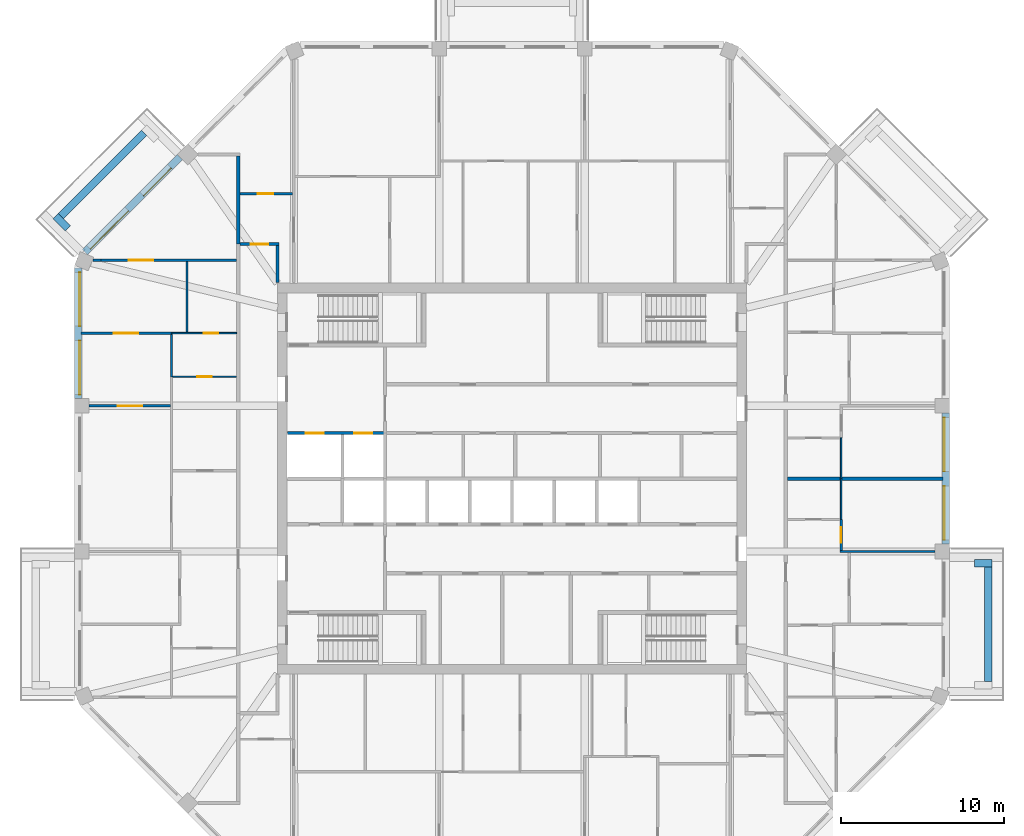
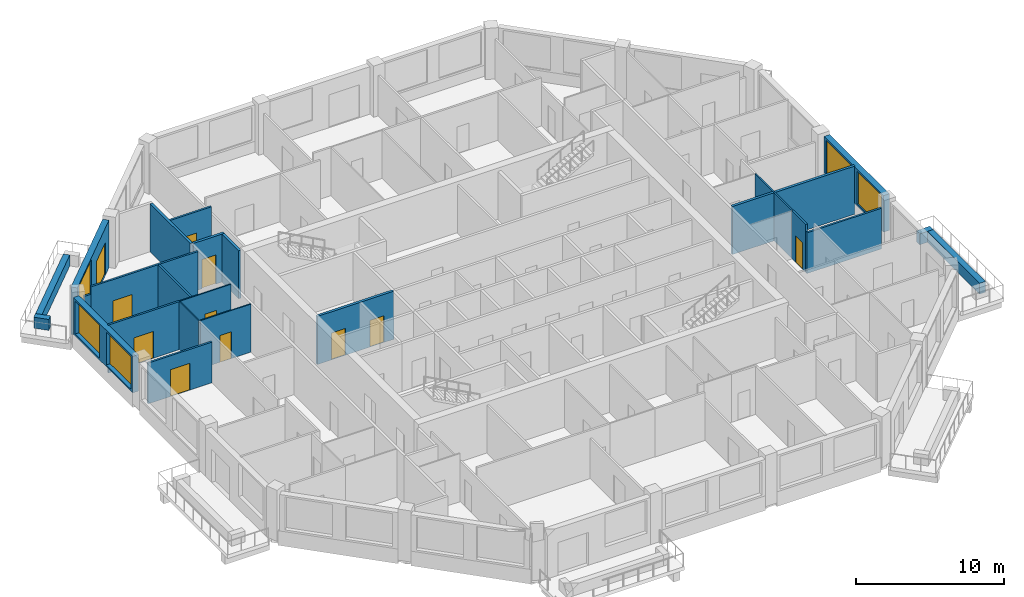
# One storey, part 7 of 11: 25 walls, 11 doors, 5 windows, 16 openings.
"""IFC4 building model written with IfcOpenShell, lengths in metres."""

from ifc_helpers import new_model, si_unit, direction, frame, frame_2d, origin, place, context, subcontext, project, spatial, rectangle, extrude, material, layer, layer_set, type_object, element, fill, save


model = new_model("IFC4")

# Units and contexts
model_context = context("Model", 3, precision=1e-05, world=origin(), true_north=direction((0.0, 1.0)))
body_context = subcontext(model_context, "Body", "Model", "MODEL_VIEW")
ifc_project = project(units=[si_unit("LENGTHUNIT", "METRE"), si_unit("AREAUNIT", "SQUARE_METRE"), si_unit("VOLUMEUNIT", "CUBIC_METRE"), si_unit("PLANEANGLEUNIT", "RADIAN"), si_unit("MASSUNIT", "GRAM", prefix="KILO")], contexts=[model_context])

# Site, building, storey
site_placement = place(None, origin())
site = spatial("IfcSite", under=ifc_project, at=site_placement, CompositionType="ELEMENT")
building_placement = place(site_placement, origin())
building = spatial("IfcBuilding", under=site, at=building_placement, Name="Msitu Wima Residences", CompositionType="ELEMENT")
storey_placement = place(building_placement, frame((0.0, 0.0, 264.300048828125)))
storey = spatial("IfcBuildingStorey", under=building, at=storey_placement, Name="L61", CompositionType="ELEMENT", Elevation=264.300048828125)

# Walls
ifc_material_1 = material(Name="Facing brick")
ifc_layer_1 = layer(ifc_material_1, 0.06494140625, Name="Facing brick")
ifc_material_2 = material(Name="Concrete C40/50", Category="concrete")
ifc_layer_2 = layer(ifc_material_2, 0.156005859375, Name="Concrete C40/50")
ifc_material_3 = material(Name="Waterproofing membrane")
ifc_layer_3 = layer(ifc_material_3, 0.00390625, Name="Waterproofing membrane")
ifc_material_4 = material(Name="Planting soil and planting")
ifc_layer_4 = layer(ifc_material_4, 0.22509765625, Name="Planting soil and planting")
ifc_layer_set_1 = layer_set([ifc_layer_1, ifc_layer_2, ifc_layer_3, ifc_layer_4], Name="Concrete C40/50")
wall_type_1 = type_object("IfcWallType", Name="Balcony planter PLANTER PL450", PredefinedType="USERDEFINED", material=ifc_layer_set_1)
wall_1_placement = place(storey_placement, frame((29.22509765625, -12.455810546875, 0.0), z_axis=(0.0, 0.0, 1.0), x_axis=(0.0, 1.0, 0.0)))
element("IfcWall", 1, at=wall_1_placement, inside=storey, type_object=wall_type_1, Name="Balcony planter E0 L61", ObjectType="PLANTER", PredefinedType="USERDEFINED", context=body_context, shape_type="SweptSolid", body=[
    extrude(rectangle(XDim=7.037109375, YDim=0.449951171875, at=frame_2d((3.5185546875, 0.0))), origin(), (0.0, 0.0, 1.0), 0.89990234375),
])
wall_2_placement = place(storey_placement, frame((28.39990234375, -5.193603515625, 0.0), z_axis=(0.0, 0.0, 1.0), x_axis=(1.0, 0.0, 0.0)))
element("IfcWall", 2, at=wall_2_placement, inside=storey, type_object=wall_type_1, Name="Balcony planter E0 L61", ObjectType="PLANTER", PredefinedType="USERDEFINED", context=body_context, shape_type="SweptSolid", body=[
    extrude(rectangle(XDim=1.050048828125, YDim=0.449951171875, at=frame_2d((0.52490234375, 0.0))), origin(), (0.0, 0.0, 1.0), 0.89990234375),
])
wall_3_placement = place(storey_placement, frame((-22.572265625, 21.228759765625, 0.0), z_axis=(0.0, 0.0, 1.0), x_axis=(-0.707106781187, -0.707106781187, 0.0)))
element("IfcWall", 3, at=wall_3_placement, inside=storey, type_object=wall_type_1, Name="Balcony planter NW1 L61", ObjectType="PLANTER", PredefinedType="USERDEFINED", context=body_context, shape_type="SweptSolid", body=[
    extrude(rectangle(XDim=7.23828125, YDim=0.449951171875, at=frame_2d((3.619140625, 0.0))), origin(), (0.0, 0.0, 1.0), 0.89990234375),
])
wall_4_placement = place(storey_placement, frame((-27.26611328125, 15.3681640625, 0.0), z_axis=(0.0, 0.0, 1.0), x_axis=(-0.707223014731, 0.706990528533, 0.0)))
element("IfcWall", 4, at=wall_4_placement, inside=storey, type_object=wall_type_1, Name="Balcony planter NW1 L61", ObjectType="PLANTER", PredefinedType="USERDEFINED", context=body_context, shape_type="SweptSolid", body=[
    extrude(rectangle(XDim=1.050048828125, YDim=0.449951171875, at=frame_2d((0.52490234375, 0.0))), origin(), (0.0, 0.0, 1.0), 0.89990234375),
])

# Wall, openings, windows
ifc_material_5 = material(Name="Brick (red buff mix)", Category="masonry")
ifc_layer_5 = layer(ifc_material_5, 0.449951171875)
ifc_layer_set_2 = layer_set([ifc_layer_5], Name="Brick (red buff mix)")
wall_type_2 = type_object("IfcWallType", Name="Brick infill wall BW450", PredefinedType="SOLIDWALL", material=ifc_layer_set_2)
wall_5_placement = place(storey_placement, frame((26.625, -4.0185546875, 0.89990234375), z_axis=(0.0, 0.0, 1.0), x_axis=(0.0, 1.0, 0.0)))
wall_5 = element("IfcWall", 5, at=wall_5_placement, inside=storey, type_object=wall_type_2, Name="Brick infill wall L61 E1", PredefinedType="SOLIDWALL", context=body_context, shape_type="SweptSolid", body=[
    extrude(rectangle(XDim=8.037109375, YDim=0.449951171875, at=frame_2d((4.0185546875, 0.0))), origin(), (0.0, 0.0, 1.0), 3.0),
])
opening_1_placement = place(wall_5_placement, frame((0.2685546875, 0.0, 0.14990234375)))
opening_1 = element("IfcOpeningElement", 6, at=opening_1_placement, cuts=wall_5, Name="Opening W60-62.002", PredefinedType="OPENING", context=body_context, shape_type="SweptSolid", body=[
    extrude(rectangle(XDim=3.300048828125, YDim=2.699951171875, at=frame_2d((1.64990234375, 1.35009765625))), frame((0.0, 0.23486328125, 0.0), z_axis=(0.0, -1.0, 0.0), x_axis=(1.0, 0.0, 0.0)), (0.0, 0.0, 1.0), 0.469970703125),
])
opening_2_placement = place(wall_5_placement, frame((4.46875, 0.0, 0.14990234375)))
opening_2 = element("IfcOpeningElement", 7, at=opening_2_placement, cuts=wall_5, Name="Opening W60-62.003", PredefinedType="OPENING", context=body_context, shape_type="SweptSolid", body=[
    extrude(rectangle(XDim=3.300048828125, YDim=2.699951171875, at=frame_2d((1.64990234375, 1.35009765625))), frame((0.0, 0.23486328125, 0.0), z_axis=(0.0, -1.0, 0.0), x_axis=(1.0, 0.0, 0.0)), (0.0, 0.0, 1.0), 0.469970703125),
])
ifc_material_6 = material(Name="Anodised aluminium, bronze finish, clear low-emissivity double glazing", Category="aluminium")
window_type = type_object("IfcWindowType", Name="Window W3300x2700", PartitioningType="DOUBLE_PANEL_VERTICAL", PredefinedType="WINDOW", material=ifc_material_6)
window_1_placement = place(opening_1_placement, origin())
window_1 = element("IfcWindow", 8, at=window_1_placement, inside=storey, type_object=window_type, Name="Window L61 E1.1", OverallHeight=2.699951171875, OverallWidth=3.300048828125, PartitioningType="SINGLE_PANEL", PredefinedType="WINDOW", context=body_context, shape_type="SweptSolid", body=[
    extrude(rectangle(XDim=3.300048828125, YDim=2.699951171875, at=frame_2d((1.64990234375, 1.35009765625))), frame((0.0, 0.135009765625, 0.0), z_axis=(0.0, -1.0, 0.0), x_axis=(1.0, 0.0, 0.0)), (0.0, 0.0, 1.0), 0.06005859375),
])
fill(opening_1, window_1)
window_2_placement = place(opening_2_placement, origin())
window_2 = element("IfcWindow", 9, at=window_2_placement, inside=storey, type_object=window_type, Name="Window L61 E1.2", OverallHeight=2.699951171875, OverallWidth=3.300048828125, PartitioningType="SINGLE_PANEL", PredefinedType="WINDOW", context=body_context, shape_type="SweptSolid", body=[
    extrude(rectangle(XDim=3.300048828125, YDim=2.699951171875, at=frame_2d((1.64990234375, 1.35009765625))), frame((0.0, 0.135009765625, 0.0), z_axis=(0.0, -1.0, 0.0), x_axis=(1.0, 0.0, 0.0)), (0.0, 0.0, 1.0), 0.06005859375),
])
fill(opening_2, window_2)

# Wall, openings, door, window
wall_6_placement = place(storey_placement, frame((-20.380126953125, 19.743896484375, 0.0), z_axis=(0.0, 0.0, 1.0), x_axis=(-0.707106781187, -0.707106781187, 0.0)))
wall_6 = element("IfcWall", 10, at=wall_6_placement, inside=storey, type_object=wall_type_2, Name="Brick infill wall L61 NW1", PredefinedType="SOLIDWALL", context=body_context, shape_type="SweptSolid", body=[
    extrude(rectangle(XDim=8.251220703125, YDim=0.449951171875, at=frame_2d((4.12548828125, 0.0))), origin(), (0.0, 0.0, 1.0), 3.89990234375),
])
opening_3_placement = place(wall_6_placement, frame((0.86279296875, 0.0, 0.0)))
opening_3 = element("IfcOpeningElement", 11, at=opening_3_placement, cuts=wall_6, Name="Opening D60-62.004", PredefinedType="OPENING", context=body_context, shape_type="SweptSolid", body=[
    extrude(rectangle(XDim=2.39990234375, YDim=2.699951171875, at=frame_2d((1.199951171875, 1.35009765625))), frame((0.0, 0.23486328125, 0.0), z_axis=(0.0, -1.0, 0.0), x_axis=(1.0, 0.0, 0.0)), (0.0, 0.0, 1.0), 0.469970703125),
])
opening_4_placement = place(wall_6_placement, frame((4.57568359375, 0.0, 1.050048828125)))
opening_4 = element("IfcOpeningElement", 12, at=opening_4_placement, cuts=wall_6, Name="Opening W60-62.016", PredefinedType="OPENING", context=body_context, shape_type="SweptSolid", body=[
    extrude(rectangle(XDim=3.300048828125, YDim=2.699951171875, at=frame_2d((1.64990234375, 1.35009765625))), frame((0.0, 0.23486328125, 0.0), z_axis=(0.0, -1.0, 0.0), x_axis=(1.0, 0.0, 0.0)), (0.0, 0.0, 1.0), 0.469970703125),
])
door_type_1 = type_object("IfcDoorType", Name="Balcony door D2400x2700", OperationType="SLIDING_TO_LEFT", PredefinedType="DOOR", material=ifc_material_6)
door_1_placement = place(opening_3_placement, origin())
door_1 = element("IfcDoor", 13, at=door_1_placement, inside=storey, type_object=door_type_1, Name="Balcony door L61 NW1", OperationType="SINGLE_SWING_LEFT", OverallHeight=2.699951171875, OverallWidth=2.39990234375, PredefinedType="DOOR", context=body_context, shape_type="SweptSolid", body=[
    extrude(rectangle(XDim=2.39990234375, YDim=2.699951171875, at=frame_2d((1.199951171875, 1.35009765625))), frame((0.0, 0.1298828125, 0.0), z_axis=(0.0, -1.0, 0.0), x_axis=(1.0, 0.0, 0.0)), (0.0, 0.0, 1.0), 0.050048828125),
])
fill(opening_3, door_1)
window_3_placement = place(opening_4_placement, origin())
window_3 = element("IfcWindow", 14, at=window_3_placement, inside=storey, type_object=window_type, Name="Window L61 NW1.2", OverallHeight=2.699951171875, OverallWidth=3.300048828125, PartitioningType="SINGLE_PANEL", PredefinedType="WINDOW", context=body_context, shape_type="SweptSolid", body=[
    extrude(rectangle(XDim=3.300048828125, YDim=2.699951171875, at=frame_2d((1.64990234375, 1.35009765625))), frame((0.0, 0.135009765625, 0.0), z_axis=(0.0, -1.0, 0.0), x_axis=(1.0, 0.0, 0.0)), (0.0, 0.0, 1.0), 0.06005859375),
])
fill(opening_4, window_3)

# Wall, openings, windows
wall_7_placement = place(storey_placement, frame((-26.625, 12.918701171875, 0.89990234375), z_axis=(0.0, 0.0, 1.0), x_axis=(0.0, -1.0, 0.0)))
wall_7 = element("IfcWall", 15, at=wall_7_placement, inside=storey, type_object=wall_type_2, Name="Brick infill wall L61 W0", PredefinedType="SOLIDWALL", context=body_context, shape_type="SweptSolid", body=[
    extrude(rectangle(XDim=8.0, YDim=0.449951171875, at=frame_2d((4.0, 0.0))), origin(), (0.0, 0.0, 1.0), 3.0),
])
opening_5_placement = place(wall_7_placement, frame((0.25, 0.0, 0.14990234375)))
opening_5 = element("IfcOpeningElement", 16, at=opening_5_placement, cuts=wall_7, Name="Opening W60-62.029", PredefinedType="OPENING", context=body_context, shape_type="SweptSolid", body=[
    extrude(rectangle(XDim=3.300048828125, YDim=2.699951171875, at=frame_2d((1.64990234375, 1.35009765625))), frame((0.0, 0.23486328125, 0.0), z_axis=(0.0, -1.0, 0.0), x_axis=(1.0, 0.0, 0.0)), (0.0, 0.0, 1.0), 0.469970703125),
])
opening_6_placement = place(wall_7_placement, frame((4.4501953125, 0.0, 0.14990234375)))
opening_6 = element("IfcOpeningElement", 17, at=opening_6_placement, cuts=wall_7, Name="Opening W60-62.030", PredefinedType="OPENING", context=body_context, shape_type="SweptSolid", body=[
    extrude(rectangle(XDim=3.300048828125, YDim=2.699951171875, at=frame_2d((1.64990234375, 1.35009765625))), frame((0.0, 0.23486328125, 0.0), z_axis=(0.0, -1.0, 0.0), x_axis=(1.0, 0.0, 0.0)), (0.0, 0.0, 1.0), 0.469970703125),
])
window_4_placement = place(opening_5_placement, origin())
window_4 = element("IfcWindow", 18, at=window_4_placement, inside=storey, type_object=window_type, Name="Window L61 W0.1", OverallHeight=2.699951171875, OverallWidth=3.300048828125, PartitioningType="SINGLE_PANEL", PredefinedType="WINDOW", context=body_context, shape_type="SweptSolid", body=[
    extrude(rectangle(XDim=3.300048828125, YDim=2.699951171875, at=frame_2d((1.64990234375, 1.35009765625))), frame((0.0, 0.135009765625, 0.0), z_axis=(0.0, -1.0, 0.0), x_axis=(1.0, 0.0, 0.0)), (0.0, 0.0, 1.0), 0.06005859375),
])
fill(opening_5, window_4)
window_5_placement = place(opening_6_placement, origin())
window_5 = element("IfcWindow", 19, at=window_5_placement, inside=storey, type_object=window_type, Name="Window L61 W0.2", OverallHeight=2.699951171875, OverallWidth=3.300048828125, PartitioningType="SINGLE_PANEL", PredefinedType="WINDOW", context=body_context, shape_type="SweptSolid", body=[
    extrude(rectangle(XDim=3.300048828125, YDim=2.699951171875, at=frame_2d((1.64990234375, 1.35009765625))), frame((0.0, 0.135009765625, 0.0), z_axis=(0.0, -1.0, 0.0), x_axis=(1.0, 0.0, 0.0)), (0.0, 0.0, 1.0), 0.06005859375),
])
fill(opening_6, window_5)

# Wall, opening, door
ifc_material_7 = material(Name="Plaster")
ifc_layer_6 = layer(ifc_material_7, 0.011962890625, Name="Plaster")
ifc_material_8 = material(Name="Concrete blockwork", Category="masonry")
ifc_layer_7 = layer(ifc_material_8, 0.176025390625, Name="Concrete blockwork")
ifc_layer_8 = layer(ifc_material_7, 0.011962890625, Name="Plaster")
ifc_layer_set_3 = layer_set([ifc_layer_6, ifc_layer_7, ifc_layer_8], Name="Concrete blockwork")
wall_type_3 = type_object("IfcWallType", Name="Corridor wall FW200", PredefinedType="PARTITIONING", material=ifc_layer_set_3)
wall_8_placement = place(storey_placement, frame((-16.699951171875, 14.39990234375, 0.0), z_axis=(0.0, 0.0, 1.0), x_axis=(1.0, 0.0, 0.0)))
wall_8 = element("IfcWall", 20, at=wall_8_placement, inside=storey, type_object=wall_type_3, Name="Corridor wall", PredefinedType="PARTITIONING", context=body_context, shape_type="SweptSolid", body=[
    extrude(rectangle(XDim=2.39990234375, YDim=0.199951171875, at=frame_2d((1.199951171875, 0.0))), origin(), (0.0, 0.0, 1.0), 3.949951171875),
])
opening_7_placement = place(wall_8_placement, frame((0.64990234375, 0.0, 0.0)))
opening_7 = element("IfcOpeningElement", 21, at=opening_7_placement, cuts=wall_8, Name="Opening D60-62.026", PredefinedType="OPENING", context=body_context, shape_type="SweptSolid", body=[
    extrude(rectangle(XDim=1.10009765625, YDim=2.39990234375, at=frame_2d((0.550048828125, 1.199951171875))), frame((0.0, 0.10986328125, 0.0), z_axis=(0.0, -1.0, 0.0), x_axis=(1.0, 0.0, 0.0)), (0.0, 0.0, 1.0), 0.219970703125),
])
ifc_material_9 = material(Name="Timber flush door, fire resisting, self-closing", Category="wood")
door_type_2 = type_object("IfcDoorType", Name="Flat entrance door D01 1100x2400", OperationType="SINGLE_SWING_LEFT", PredefinedType="DOOR", material=ifc_material_9)
door_2_placement = place(opening_7_placement, origin())
door_2 = element("IfcDoor", 22, at=door_2_placement, inside=storey, type_object=door_type_2, Name="Flat entrance door", OperationType="SINGLE_SWING_LEFT", OverallHeight=2.39990234375, OverallWidth=1.10009765625, PredefinedType="DOOR", context=body_context, shape_type="SweptSolid", body=[
    extrude(rectangle(XDim=1.10009765625, YDim=2.39990234375, at=frame_2d((0.550048828125, 1.199951171875))), frame((0.0, 0.02490234375, 0.0), z_axis=(0.0, -1.0, 0.0), x_axis=(1.0, 0.0, 0.0)), (0.0, 0.0, 1.0), 0.050048828125),
])
fill(opening_7, door_2)

# Wall
wall_9_placement = place(storey_placement, frame((-14.39990234375, 12.030029296875, 0.0), z_axis=(0.0, 0.0, 1.0), x_axis=(0.0, 1.0, 0.0)))
element("IfcWall", 23, at=wall_9_placement, inside=storey, type_object=wall_type_3, Name="Corridor wall", PredefinedType="PARTITIONING", context=body_context, shape_type="SweptSolid", body=[
    extrude(rectangle(XDim=2.27001953125, YDim=0.199951171875, at=frame_2d((1.135009765625, 0.0))), origin(), (0.0, 0.0, 1.0), 3.949951171875),
])

# Wall, opening, door
ifc_layer_9 = layer(ifc_material_7, 0.011962890625, Name="Plaster")
ifc_layer_10 = layer(ifc_material_8, 0.1259765625, Name="Concrete blockwork")
ifc_layer_11 = layer(ifc_material_7, 0.011962890625, Name="Plaster")
ifc_layer_set_4 = layer_set([ifc_layer_9, ifc_layer_10, ifc_layer_11], Name="Concrete blockwork")
wall_type_4 = type_object("IfcWallType", Name="Partition PW150", PredefinedType="PARTITIONING", material=ifc_layer_set_4)
wall_10_placement = place(storey_placement, frame((-25.949951171875, 4.46875, 0.0), z_axis=(0.0, 0.0, 1.0), x_axis=(1.0, 0.0, 0.0)))
wall_10 = element("IfcWall", 24, at=wall_10_placement, inside=storey, type_object=wall_type_4, Name="Partition", PredefinedType="PARTITIONING", context=body_context, shape_type="SweptSolid", body=[
    extrude(rectangle(XDim=4.974853515625, YDim=0.14990234375, at=frame_2d((2.4873046875, 0.0))), origin(), (0.0, 0.0, 1.0), 3.349853515625),
])
opening_8_placement = place(wall_10_placement, frame((1.75, 0.0, 0.0)))
opening_8 = element("IfcOpeningElement", 25, at=opening_8_placement, cuts=wall_10, Name="Opening D60-62.049", PredefinedType="OPENING", context=body_context, shape_type="SweptSolid", body=[
    extrude(rectangle(XDim=1.5, YDim=2.199951171875, at=frame_2d((0.75, 1.10009765625))), frame((0.0, 0.0849609375, 0.0), z_axis=(0.0, -1.0, 0.0), x_axis=(1.0, 0.0, 0.0)), (0.0, 0.0, 1.0), 0.169921875),
])
ifc_material_10 = material(Name="Timber double door", Category="wood")
door_type_3 = type_object("IfcDoorType", Name="Double door D04 1500x2200", OperationType="DOUBLE_DOOR_SINGLE_SWING", PredefinedType="DOOR", material=ifc_material_10)
door_3_placement = place(opening_8_placement, origin())
door_3 = element("IfcDoor", 26, at=door_3_placement, inside=storey, type_object=door_type_3, Name="Double door", OperationType="DOUBLE_DOOR_SINGLE_SWING", OverallHeight=2.199951171875, OverallWidth=1.5, PredefinedType="DOOR", context=body_context, shape_type="SweptSolid", body=[
    extrude(rectangle(XDim=1.5, YDim=2.199951171875, at=frame_2d((0.75, 1.10009765625))), frame((0.0, 0.02490234375, 0.0), z_axis=(0.0, -1.0, 0.0), x_axis=(1.0, 0.0, 0.0)), (0.0, 0.0, 1.0), 0.050048828125),
])
fill(opening_8, door_3)

wall_11_placement = place(storey_placement, frame((-26.455078125, 8.937255859375, 0.0), z_axis=(0.0, 0.0, 1.0), x_axis=(1.0, 0.0, 0.0)))
wall_11 = element("IfcWall", 27, at=wall_11_placement, inside=storey, type_object=wall_type_4, Name="Partition", PredefinedType="PARTITIONING", context=body_context, shape_type="SweptSolid", body=[
    extrude(rectangle(XDim=5.5751953125, YDim=0.14990234375, at=frame_2d((2.78759765625, 0.0))), origin(), (0.0, 0.0, 1.0), 3.949951171875),
])
opening_9_placement = place(wall_11_placement, frame((2.0, 0.0, 0.0)))
opening_9 = element("IfcOpeningElement", 28, at=opening_9_placement, cuts=wall_11, Name="Opening D60-62.041", PredefinedType="OPENING", context=body_context, shape_type="SweptSolid", body=[
    extrude(rectangle(XDim=1.5, YDim=2.199951171875, at=frame_2d((0.75, 1.10009765625))), frame((0.0, 0.0849609375, 0.0), z_axis=(0.0, -1.0, 0.0), x_axis=(1.0, 0.0, 0.0)), (0.0, 0.0, 1.0), 0.169921875),
])
door_4_placement = place(opening_9_placement, origin())
door_4 = element("IfcDoor", 29, at=door_4_placement, inside=storey, type_object=door_type_3, Name="Double door", OperationType="DOUBLE_DOOR_SINGLE_SWING", OverallHeight=2.199951171875, OverallWidth=1.5, PredefinedType="DOOR", context=body_context, shape_type="SweptSolid", body=[
    extrude(rectangle(XDim=1.5, YDim=2.199951171875, at=frame_2d((0.75, 1.10009765625))), frame((0.0, 0.02490234375, 0.0), z_axis=(0.0, -1.0, 0.0), x_axis=(1.0, 0.0, 0.0)), (0.0, 0.0, 1.0), 0.050048828125),
])
fill(opening_9, door_4)

# Wall
wall_12_placement = place(storey_placement, frame((-25.731201171875, 13.406005859375, 0.0), z_axis=(0.0, 0.0, 1.0), x_axis=(1.0, 0.0, 0.0)))
element("IfcWall", 30, at=wall_12_placement, inside=storey, type_object=wall_type_4, Name="Partition", PredefinedType="PARTITIONING", context=body_context, shape_type="SweptSolid", body=[
    extrude(rectangle(XDim=0.507080078125, YDim=0.14990234375, at=frame_2d((0.25341796875, 0.0))), origin(), (0.0, 0.0, 1.0), 3.349853515625),
])

# Wall, opening, door
wall_13_placement = place(storey_placement, frame((-25.22412109375, 13.406005859375, 0.0), z_axis=(0.0, 0.0, 1.0), x_axis=(1.0, 0.0, 0.0)))
wall_13 = element("IfcWall", 31, at=wall_13_placement, inside=storey, type_object=wall_type_4, Name="Partition", PredefinedType="PARTITIONING", context=body_context, shape_type="SweptSolid", body=[
    extrude(rectangle(XDim=8.32421875, YDim=0.14990234375, at=frame_2d((4.162109375, 0.0))), origin(), (0.0, 0.0, 1.0), 3.949951171875),
])
opening_10_placement = place(wall_13_placement, frame((1.69287109375, 0.0, 0.0)))
opening_10 = element("IfcOpeningElement", 32, at=opening_10_placement, cuts=wall_13, Name="Opening D60-62.042", PredefinedType="OPENING", context=body_context, shape_type="SweptSolid", body=[
    extrude(rectangle(XDim=1.5, YDim=2.199951171875, at=frame_2d((0.75, 1.10009765625))), frame((0.0, 0.0849609375, 0.0), z_axis=(0.0, -1.0, 0.0), x_axis=(1.0, 0.0, 0.0)), (0.0, 0.0, 1.0), 0.169921875),
])
door_5_placement = place(opening_10_placement, origin())
door_5 = element("IfcDoor", 33, at=door_5_placement, inside=storey, type_object=door_type_3, Name="Double door", OperationType="DOUBLE_DOOR_SINGLE_SWING", OverallHeight=2.199951171875, OverallWidth=1.5, PredefinedType="DOOR", context=body_context, shape_type="SweptSolid", body=[
    extrude(rectangle(XDim=1.5, YDim=2.199951171875, at=frame_2d((0.75, 1.10009765625))), frame((0.0, 0.02490234375, 0.0), z_axis=(0.0, -1.0, 0.0), x_axis=(1.0, 0.0, 0.0)), (0.0, 0.0, 1.0), 0.050048828125),
])
fill(opening_10, door_5)

# Wall
wall_14_placement = place(storey_placement, frame((-19.949951171875, 8.9873046875, 0.0), z_axis=(0.0, 0.0, 1.0), x_axis=(0.0, 1.0, 0.0)))
element("IfcWall", 34, at=wall_14_placement, inside=storey, type_object=wall_type_4, Name="Partition", PredefinedType="PARTITIONING", context=body_context, shape_type="SweptSolid", body=[
    extrude(rectangle(XDim=4.343505859375, YDim=0.14990234375, at=frame_2d((2.171875, 0.0))), origin(), (0.0, 0.0, 1.0), 3.949951171875),
])

# Wall, opening, door
wall_15_placement = place(storey_placement, frame((-16.699951171875, 17.5, 0.0), z_axis=(0.0, 0.0, 1.0), x_axis=(1.0, 0.0, 0.0)))
wall_15 = element("IfcWall", 35, at=wall_15_placement, inside=storey, type_object=wall_type_4, Name="Partition", PredefinedType="PARTITIONING", context=body_context, shape_type="SweptSolid", body=[
    extrude(rectangle(XDim=3.218994140625, YDim=0.14990234375, at=frame_2d((1.609375, 0.0))), origin(), (0.0, 0.0, 1.0), 3.949951171875),
])
opening_11_placement = place(wall_15_placement, frame((1.10009765625, 0.0, 0.0)))
opening_11 = element("IfcOpeningElement", 36, at=opening_11_placement, cuts=wall_15, Name="Opening D60-62.032", PredefinedType="OPENING", context=body_context, shape_type="SweptSolid", body=[
    extrude(rectangle(XDim=0.949951171875, YDim=2.199951171875, at=frame_2d((0.47509765625, 1.10009765625))), frame((0.0, 0.0849609375, 0.0), z_axis=(0.0, -1.0, 0.0), x_axis=(1.0, 0.0, 0.0)), (0.0, 0.0, 1.0), 0.169921875),
])
ifc_material_11 = material(Name="Timber flush door", Category="wood")
door_type_4 = type_object("IfcDoorType", Name="Room door D12 950x2200", OperationType="SINGLE_SWING_LEFT", PredefinedType="DOOR", material=ifc_material_11)
door_6_placement = place(opening_11_placement, origin())
door_6 = element("IfcDoor", 37, at=door_6_placement, inside=storey, type_object=door_type_4, Name="Room door", OperationType="SINGLE_SWING_LEFT", OverallHeight=2.199951171875, OverallWidth=0.949951171875, PredefinedType="DOOR", context=body_context, shape_type="SweptSolid", body=[
    extrude(rectangle(XDim=0.949951171875, YDim=2.199951171875, at=frame_2d((0.47509765625, 1.10009765625))), frame((0.0, 0.02490234375, 0.0), z_axis=(0.0, -1.0, 0.0), x_axis=(1.0, 0.0, 0.0)), (0.0, 0.0, 1.0), 0.050048828125),
])
fill(opening_11, door_6)

wall_16_placement = place(storey_placement, frame((20.199951171875, -4.3935546875, 0.0), z_axis=(0.0, 0.0, 1.0), x_axis=(0.0, 1.0, 0.0)))
wall_16 = element("IfcWall", 38, at=wall_16_placement, inside=storey, type_object=wall_type_4, Name="Partition", PredefinedType="PARTITIONING", context=body_context, shape_type="SweptSolid", body=[
    extrude(rectangle(XDim=1.8935546875, YDim=0.14990234375, at=frame_2d((0.94677734375, 0.0))), origin(), (0.0, 0.0, 1.0), 3.949951171875),
])
opening_12_placement = place(wall_16_placement, frame((0.449951171875, 0.0, 0.0)))
opening_12 = element("IfcOpeningElement", 39, at=opening_12_placement, cuts=wall_16, Name="Opening D60-62.011", PredefinedType="OPENING", context=body_context, shape_type="SweptSolid", body=[
    extrude(rectangle(XDim=0.949951171875, YDim=2.199951171875, at=frame_2d((0.47509765625, 1.10009765625))), frame((0.0, 0.0849609375, 0.0), z_axis=(0.0, -1.0, 0.0), x_axis=(1.0, 0.0, 0.0)), (0.0, 0.0, 1.0), 0.169921875),
])
door_7_placement = place(opening_12_placement, origin())
door_7 = element("IfcDoor", 40, at=door_7_placement, inside=storey, type_object=door_type_4, Name="Room door", OperationType="SINGLE_SWING_RIGHT", OverallHeight=2.199951171875, OverallWidth=0.949951171875, PredefinedType="DOOR", context=body_context, shape_type="SweptSolid", body=[
    extrude(rectangle(XDim=0.949951171875, YDim=2.199951171875, at=frame_2d((0.47509765625, 1.10009765625))), frame((0.0, 0.02490234375, 0.0), z_axis=(0.0, -1.0, 0.0), x_axis=(1.0, 0.0, 0.0)), (0.0, 0.0, 1.0), 0.050048828125),
])
fill(opening_12, door_7)

# Walls
wall_17_placement = place(storey_placement, frame((20.125, -4.46875, 0.0), z_axis=(0.0, 0.0, 1.0), x_axis=(1.0, 0.0, 0.0)))
element("IfcWall", 41, at=wall_17_placement, inside=storey, type_object=wall_type_4, Name="Partition", PredefinedType="PARTITIONING", context=body_context, shape_type="SweptSolid", body=[
    extrude(rectangle(XDim=5.824951171875, YDim=0.14990234375, at=frame_2d((2.91259765625, 0.0))), origin(), (0.0, 0.0, 1.0), 3.349853515625),
])
ifc_layer_12 = layer(ifc_material_7, 0.011962890625, Name="Plaster")
ifc_material_12 = material(Name="Dense concrete blockwork", Category="masonry")
ifc_layer_13 = layer(ifc_material_12, 0.176025390625, Name="Dense concrete blockwork")
ifc_layer_14 = layer(ifc_material_7, 0.011962890625, Name="Plaster")
ifc_layer_set_5 = layer_set([ifc_layer_12, ifc_layer_13, ifc_layer_14], Name="Dense concrete blockwork")
wall_type_5 = type_object("IfcWallType", Name="Party wall PW200", PredefinedType="PARTITIONING", material=ifc_layer_set_5)
wall_18_placement = place(storey_placement, frame((-16.800048828125, 14.39990234375, 0.0), z_axis=(0.0, 0.0, 1.0), x_axis=(0.0, 1.0, 0.0)))
element("IfcWall", 42, at=wall_18_placement, inside=storey, type_object=wall_type_5, Name="Party wall", PredefinedType="PARTITIONING", context=body_context, shape_type="SweptSolid", body=[
    extrude(rectangle(XDim=5.403076171875, YDim=0.199951171875, at=frame_2d((2.70166015625, 0.0))), origin(), (0.0, 0.0, 1.0), 3.949951171875),
])
wall_19_placement = place(storey_placement, frame((16.89990234375, 0.0, 0.0), z_axis=(0.0, 0.0, 1.0), x_axis=(1.0, 0.0, 0.0)))
element("IfcWall", 43, at=wall_19_placement, inside=storey, type_object=wall_type_5, Name="Party wall", PredefinedType="PARTITIONING", context=body_context, shape_type="SweptSolid", body=[
    extrude(rectangle(XDim=9.55517578125, YDim=0.199951171875, at=frame_2d((4.777587890625, 0.0))), origin(), (0.0, 0.0, 1.0), 3.949951171875),
])

# Wall, openings, doors
ifc_material_13 = material(Name="Fire-rated board")
ifc_layer_15 = layer(ifc_material_13, 0.02490234375, Name="Fire-rated board")
ifc_material_14 = material(Name="Light-gauge stud framing with mineral wool")
ifc_layer_16 = layer(ifc_material_14, 0.14990234375, Name="Light-gauge stud framing with mineral wool")
ifc_layer_17 = layer(ifc_material_13, 0.02490234375, Name="Fire-rated board")
ifc_layer_set_6 = layer_set([ifc_layer_15, ifc_layer_16, ifc_layer_17], Name="Light-gauge stud framing with mineral wool")
wall_type_6 = type_object("IfcWallType", Name="Shaft wall SH200", PredefinedType="PARTITIONING", material=ifc_layer_set_6)
wall_20_placement = place(storey_placement, frame((-13.77001953125, 2.800048828125, 0.0), z_axis=(0.0, 0.0, 1.0), x_axis=(1.0, 0.0, 0.0)))
wall_20 = element("IfcWall", 44, at=wall_20_placement, inside=storey, type_object=wall_type_6, Name="Shaft wall", PredefinedType="PARTITIONING", context=body_context, shape_type="SweptSolid", body=[
    extrude(rectangle(XDim=5.949951171875, YDim=0.199951171875, at=frame_2d((2.97509765625, 0.0))), origin(), (0.0, 0.0, 1.0), 3.949951171875),
])
opening_13_placement = place(wall_20_placement, frame((1.10009765625, 0.0, 0.0)))
opening_13 = element("IfcOpeningElement", 45, at=opening_13_placement, cuts=wall_20, Name="Opening LD", PredefinedType="OPENING", context=body_context, shape_type="SweptSolid", body=[
    extrude(rectangle(XDim=1.10009765625, YDim=2.199951171875, at=frame_2d((0.550048828125, 1.10009765625))), frame((0.0, 0.10986328125, 0.0), z_axis=(0.0, -1.0, 0.0), x_axis=(1.0, 0.0, 0.0)), (0.0, 0.0, 1.0), 0.219970703125),
])
opening_14_placement = place(wall_20_placement, frame((4.10009765625, 0.0, 0.0)))
opening_14 = element("IfcOpeningElement", 46, at=opening_14_placement, cuts=wall_20, Name="Opening LD", PredefinedType="OPENING", context=body_context, shape_type="SweptSolid", body=[
    extrude(rectangle(XDim=1.10009765625, YDim=2.199951171875, at=frame_2d((0.550048828125, 1.10009765625))), frame((0.0, 0.10986328125, 0.0), z_axis=(0.0, -1.0, 0.0), x_axis=(1.0, 0.0, 0.0)), (0.0, 0.0, 1.0), 0.219970703125),
])
ifc_material_15 = material(Name="Stainless steel centre-opening landing door, rated", Category="steel")
door_type_5 = type_object("IfcDoorType", Name="Lift landing door LD 1100x2200", OperationType="DOUBLE_DOOR_SLIDING", PredefinedType="DOOR", material=ifc_material_15)
door_8_placement = place(opening_13_placement, origin())
door_8 = element("IfcDoor", 47, at=door_8_placement, inside=storey, type_object=door_type_5, Name="Lift landing door LD1", OperationType="DOUBLE_DOOR_SLIDING", OverallHeight=2.199951171875, OverallWidth=1.10009765625, PredefinedType="DOOR", context=body_context, shape_type="SweptSolid", body=[
    extrude(rectangle(XDim=1.10009765625, YDim=2.199951171875, at=frame_2d((0.550048828125, 1.10009765625))), frame((0.0, 0.02490234375, 0.0), z_axis=(0.0, -1.0, 0.0), x_axis=(1.0, 0.0, 0.0)), (0.0, 0.0, 1.0), 0.050048828125),
])
fill(opening_13, door_8)
door_9_placement = place(opening_14_placement, origin())
door_9 = element("IfcDoor", 48, at=door_9_placement, inside=storey, type_object=door_type_5, Name="Lift landing door LD2", OperationType="DOUBLE_DOOR_SLIDING", OverallHeight=2.199951171875, OverallWidth=1.10009765625, PredefinedType="DOOR", context=body_context, shape_type="SweptSolid", body=[
    extrude(rectangle(XDim=1.10009765625, YDim=2.199951171875, at=frame_2d((0.550048828125, 1.10009765625))), frame((0.0, 0.02490234375, 0.0), z_axis=(0.0, -1.0, 0.0), x_axis=(1.0, 0.0, 0.0)), (0.0, 0.0, 1.0), 0.050048828125),
])
fill(opening_14, door_9)

# Wall
ifc_material_16 = material(Name="Ceramic tiles")
ifc_layer_18 = layer(ifc_material_16, 0.008056640625, Name="Ceramic tiles")
ifc_material_17 = material(Name="Moisture-resistant board")
ifc_layer_19 = layer(ifc_material_17, 0.012451171875, Name="Moisture-resistant board")
ifc_layer_20 = layer(ifc_material_14, 0.06689453125, Name="Light-gauge stud framing with mineral wool")
ifc_layer_21 = layer(ifc_material_17, 0.012451171875, Name="Moisture-resistant board")
ifc_layer_set_7 = layer_set([ifc_layer_18, ifc_layer_19, ifc_layer_20, ifc_layer_21], Name="Light-gauge stud framing with mineral wool")
wall_type_7 = type_object("IfcWallType", Name="Wet wall PW100", PredefinedType="PARTITIONING", material=ifc_layer_set_7)
wall_21_placement = place(storey_placement, frame((-20.89990234375, 6.256103515625, 0.0), z_axis=(0.0, 0.0, 1.0), x_axis=(0.0, 1.0, 0.0)))
element("IfcWall", 49, at=wall_21_placement, inside=storey, type_object=wall_type_7, Name="Wet wall", PredefinedType="PARTITIONING", context=body_context, shape_type="SweptSolid", body=[
    extrude(rectangle(XDim=2.606201171875, YDim=0.10009765625, at=frame_2d((1.30322265625, 0.0))), origin(), (0.0, 0.0, 1.0), 3.949951171875),
])

# Wall, opening, door
wall_22_placement = place(storey_placement, frame((-20.824951171875, 6.256103515625, 0.0), z_axis=(0.0, 0.0, 1.0), x_axis=(1.0, 0.0, 0.0)))
wall_22 = element("IfcWall", 50, at=wall_22_placement, inside=storey, type_object=wall_type_7, Name="Wet wall", PredefinedType="PARTITIONING", context=body_context, shape_type="SweptSolid", body=[
    extrude(rectangle(XDim=3.925048828125, YDim=0.10009765625, at=frame_2d((1.96240234375, 0.0))), origin(), (0.0, 0.0, 1.0), 3.949951171875),
])
opening_15_placement = place(wall_22_placement, frame((1.5, 0.0, 0.0)))
opening_15 = element("IfcOpeningElement", 51, at=opening_15_placement, cuts=wall_22, Name="Opening D60-62.048", PredefinedType="OPENING", context=body_context, shape_type="SweptSolid", body=[
    extrude(rectangle(XDim=0.89990234375, YDim=2.199951171875, at=frame_2d((0.449951171875, 1.10009765625))), frame((0.0, 0.06005859375, 0.0), z_axis=(0.0, -1.0, 0.0), x_axis=(1.0, 0.0, 0.0)), (0.0, 0.0, 1.0), 0.1201171875),
])
door_type_6 = type_object("IfcDoorType", Name="Service door D05 900x2200", OperationType="SINGLE_SWING_LEFT", PredefinedType="DOOR", material=ifc_material_11)
door_10_placement = place(opening_15_placement, origin())
door_10 = element("IfcDoor", 52, at=door_10_placement, inside=storey, type_object=door_type_6, Name="Service door", OperationType="SINGLE_SWING_RIGHT", OverallHeight=2.199951171875, OverallWidth=0.89990234375, PredefinedType="DOOR", context=body_context, shape_type="SweptSolid", body=[
    extrude(rectangle(XDim=0.89990234375, YDim=2.199951171875, at=frame_2d((0.449951171875, 1.10009765625))), frame((0.0, 0.02490234375, 0.0), z_axis=(0.0, -1.0, 0.0), x_axis=(1.0, 0.0, 0.0)), (0.0, 0.0, 1.0), 0.050048828125),
])
fill(opening_15, door_10)

wall_23_placement = place(storey_placement, frame((-20.8798828125, 8.937255859375, 0.0), z_axis=(0.0, 0.0, 1.0), x_axis=(1.0, 0.0, 0.0)))
wall_23 = element("IfcWall", 53, at=wall_23_placement, inside=storey, type_object=wall_type_7, Name="Wet wall", PredefinedType="PARTITIONING", context=body_context, shape_type="SweptSolid", body=[
    extrude(rectangle(XDim=3.97998046875, YDim=0.10009765625, at=frame_2d((1.989990234375, 0.0))), origin(), (0.0, 0.0, 1.0), 3.949951171875),
])
opening_16_placement = place(wall_23_placement, frame((1.949951171875, 0.0, 0.0)))
opening_16 = element("IfcOpeningElement", 54, at=opening_16_placement, cuts=wall_23, Name="Opening D60-62.050", PredefinedType="OPENING", context=body_context, shape_type="SweptSolid", body=[
    extrude(rectangle(XDim=0.89990234375, YDim=2.199951171875, at=frame_2d((0.449951171875, 1.10009765625))), frame((0.0, 0.06005859375, 0.0), z_axis=(0.0, -1.0, 0.0), x_axis=(1.0, 0.0, 0.0)), (0.0, 0.0, 1.0), 0.1201171875),
])
door_11_placement = place(opening_16_placement, origin())
door_11 = element("IfcDoor", 55, at=door_11_placement, inside=storey, type_object=door_type_6, Name="Service door", OperationType="SINGLE_SWING_LEFT", OverallHeight=2.199951171875, OverallWidth=0.89990234375, PredefinedType="DOOR", context=body_context, shape_type="SweptSolid", body=[
    extrude(rectangle(XDim=0.89990234375, YDim=2.199951171875, at=frame_2d((0.449951171875, 1.10009765625))), frame((0.0, 0.02490234375, 0.0), z_axis=(0.0, -1.0, 0.0), x_axis=(1.0, 0.0, 0.0)), (0.0, 0.0, 1.0), 0.050048828125),
])
fill(opening_16, door_11)

# Walls
for number, where, z_axis, x_axis, name in (
    (56, (20.199951171875, -2.5, 0.0), (0.0, 0.0, 1.0), (0.0, 1.0, 0.0), "Wet wall"),
    (57, (20.199951171875, 0.0, 0.0), (0.0, 0.0, 1.0), (0.0, 1.0, 0.0), "Wet wall"),
):
    element("IfcWall", number, at=place(storey_placement, frame(where, z_axis=z_axis, x_axis=x_axis)), inside=storey, type_object=wall_type_7, Name=name, PredefinedType="PARTITIONING", context=body_context, shape_type="SweptSolid", body=[
        extrude(rectangle(XDim=2.5, YDim=0.10009765625, at=frame_2d((1.25, 0.0))), origin(), (0.0, 0.0, 1.0), 3.949951171875),
    ])

save(model, "model.ifc")
